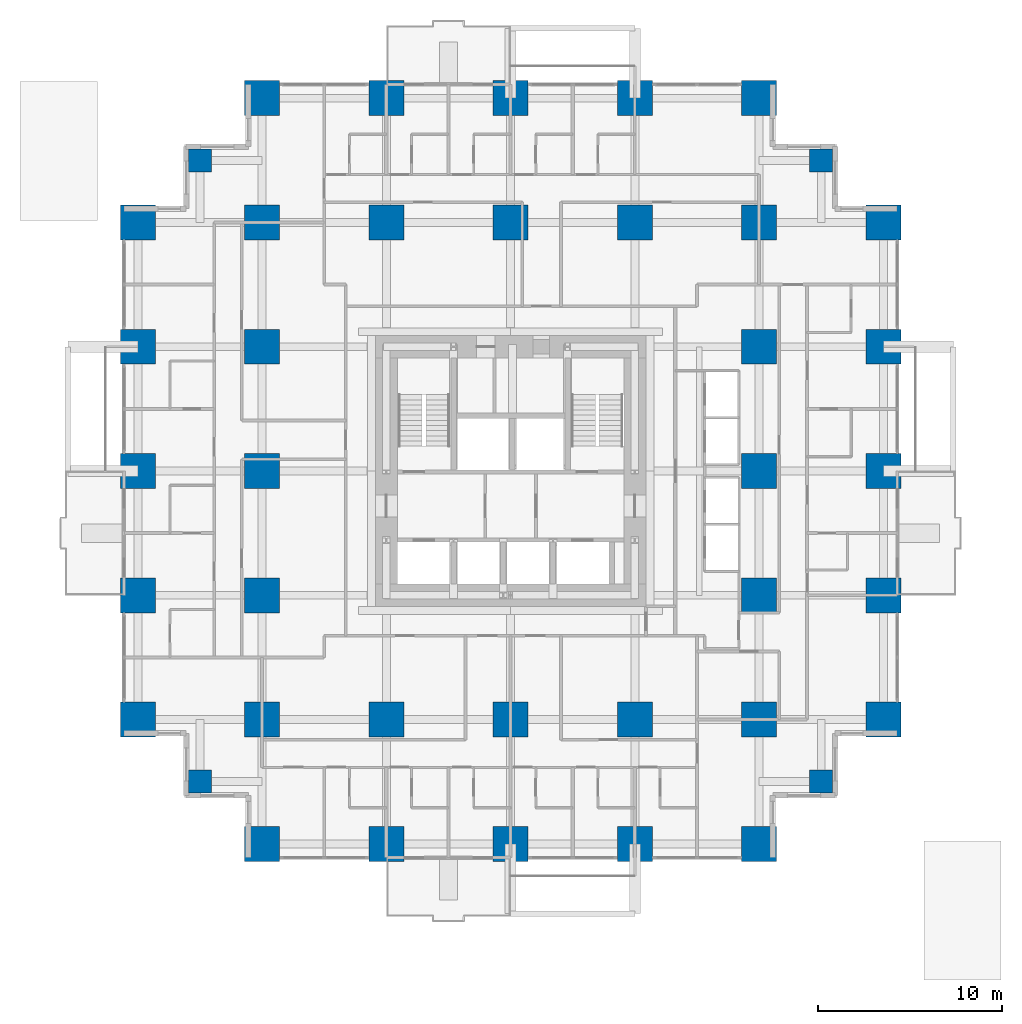
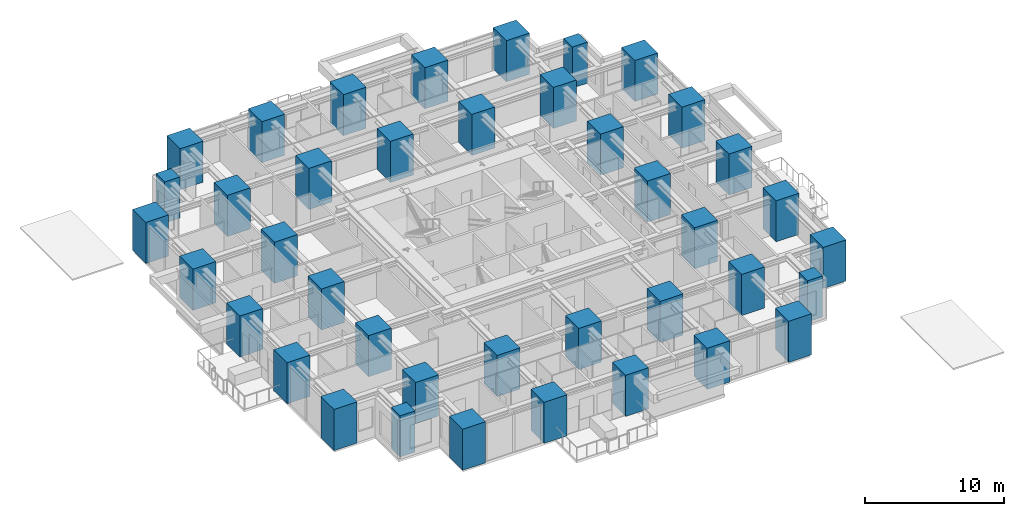
# One storey, part 1 of 14: 40 columns.
"""IFC4 building model written with IfcOpenShell, lengths in metres."""

from ifc_helpers import new_model, si_unit, direction, frame, origin, origin_2d, place, context, subcontext, project, spatial, rectangle, extrude, material, material_profile, profile_set, type_object, element, save


model = new_model("IFC4")

# Units and contexts
model_context = context("Model", 3, precision=1e-05, world=origin(), true_north=direction((0.0, 1.0)))
body_context = subcontext(model_context, "Body", "Model", "MODEL_VIEW")
ifc_project = project(units=[si_unit("LENGTHUNIT", "METRE"), si_unit("AREAUNIT", "SQUARE_METRE"), si_unit("VOLUMEUNIT", "CUBIC_METRE"), si_unit("PLANEANGLEUNIT", "RADIAN"), si_unit("MASSUNIT", "GRAM", prefix="KILO")], contexts=[model_context])

# Site, building, storey
site_placement = place(None, origin())
site = spatial("IfcSite", under=ifc_project, at=site_placement, CompositionType="ELEMENT")
building_placement = place(site_placement, origin())
building = spatial("IfcBuilding", under=site, at=building_placement, Name="Nyansa Garden Tower", CompositionType="ELEMENT")
storey_placement = place(building_placement, frame((0.0, 0.0, 18.0)))
storey = spatial("IfcBuildingStorey", under=building, at=storey_placement, Name="L04", CompositionType="ELEMENT", Elevation=18.0)

# Columns
ifc_material_1 = material(Name="Concrete C70/85", Category="concrete")
ifc_material_profile_1 = material_profile(ifc_material_1, rectangle(XDim=1.25, YDim=1.25, at=origin_2d()), Name="RC 1250x1250")
ifc_profile_set_1 = profile_set([ifc_material_profile_1], Name="Concrete C70/85")
column_type_1 = type_object("IfcColumnType", Name="Column C125 RC 1250x1250", PredefinedType="COLUMN", material=ifc_profile_set_1)
for number, where, z_axis, x_axis, name in (
    (1, (3.375, 3.375, 0.0), (0.0, 0.0, 1.0), (1.0, 0.0, 0.0), "Column x3.375/y3.375 L04"),
    (2, (3.375, 37.125, 0.0), (0.0, 0.0, 1.0), (1.0, 0.0, 0.0), "Column x3.375/y37.125 L04"),
    (3, (37.125, 3.375, 0.0), (0.0, 0.0, 1.0), (1.0, 0.0, 0.0), "Column x37.125/y3.375 L04"),
    (4, (37.125, 37.125, 0.0), (0.0, 0.0, 1.0), (1.0, 0.0, 0.0), "Column x37.125/y37.125 L04"),
):
    element("IfcColumn", number, at=place(storey_placement, frame(where, z_axis=z_axis, x_axis=x_axis)), inside=storey, type_object=column_type_1, Name=name, PredefinedType="COLUMN", context=body_context, shape_type="SweptSolid", body=[
        extrude(rectangle(XDim=1.25, YDim=1.25, at=origin_2d()), origin(), (0.0, 0.0, 1.0), 3.60009765625),
    ])
ifc_material_2 = material(Name="Concrete C80/95", Category="concrete")
ifc_material_profile_2 = material_profile(ifc_material_2, rectangle(XDim=1.89990234375, YDim=1.89990234375, at=origin_2d()), Name="RC 1900x1900")
ifc_profile_set_2 = profile_set([ifc_material_profile_2], Name="Concrete C80/95")
column_type_2 = type_object("IfcColumnType", Name="Column C190 RC 1900x1900", PredefinedType="COLUMN", material=ifc_profile_set_2)
for number, where, z_axis, x_axis, name in (
    (5, (0.0, 6.75, 0.0), (0.0, 0.0, 1.0), (1.0, 0.0, 0.0), "Column 2/E L04"),
    (6, (0.0, 13.5, 0.0), (0.0, 0.0, 1.0), (1.0, 0.0, 0.0), "Column 2/F L04"),
    (7, (0.0, 20.25, 0.0), (0.0, 0.0, 1.0), (1.0, 0.0, 0.0), "Column 2/G L04"),
    (8, (0.0, 27.0, 0.0), (0.0, 0.0, 1.0), (1.0, 0.0, 0.0), "Column 2/H L04"),
    (9, (0.0, 33.75, 0.0), (0.0, 0.0, 1.0), (1.0, 0.0, 0.0), "Column 2/J L04"),
    (10, (6.75, 0.0, 0.0), (0.0, 0.0, 1.0), (1.0, 0.0, 0.0), "Column 3/D L04"),
    (11, (6.75, 6.75, 0.0), (0.0, 0.0, 1.0), (1.0, 0.0, 0.0), "Column 3/E L04"),
    (12, (6.75, 13.5, 0.0), (0.0, 0.0, 1.0), (1.0, 0.0, 0.0), "Column 3/F L04"),
    (13, (6.75, 20.25, 0.0), (0.0, 0.0, 1.0), (1.0, 0.0, 0.0), "Column 3/G L04"),
    (14, (6.75, 27.0, 0.0), (0.0, 0.0, 1.0), (1.0, 0.0, 0.0), "Column 3/H L04"),
    (15, (6.75, 33.75, 0.0), (0.0, 0.0, 1.0), (1.0, 0.0, 0.0), "Column 3/J L04"),
    (16, (6.75, 40.5, 0.0), (0.0, 0.0, 1.0), (1.0, 0.0, 0.0), "Column 3/K L04"),
    (17, (13.5, 0.0, 0.0), (0.0, 0.0, 1.0), (1.0, 0.0, 0.0), "Column 4/D L04"),
    (18, (13.5, 6.75, 0.0), (0.0, 0.0, 1.0), (1.0, 0.0, 0.0), "Column 4/E L04"),
    (19, (13.5, 33.75, 0.0), (0.0, 0.0, 1.0), (1.0, 0.0, 0.0), "Column 4/J L04"),
    (20, (13.5, 40.5, 0.0), (0.0, 0.0, 1.0), (1.0, 0.0, 0.0), "Column 4/K L04"),
    (21, (20.25, 0.0, 0.0), (0.0, 0.0, 1.0), (1.0, 0.0, 0.0), "Column 5/D L04"),
    (22, (20.25, 6.75, 0.0), (0.0, 0.0, 1.0), (1.0, 0.0, 0.0), "Column 5/E L04"),
    (23, (20.25, 33.75, 0.0), (0.0, 0.0, 1.0), (1.0, 0.0, 0.0), "Column 5/J L04"),
    (24, (20.25, 40.5, 0.0), (0.0, 0.0, 1.0), (1.0, 0.0, 0.0), "Column 5/K L04"),
    (25, (27.0, 0.0, 0.0), (0.0, 0.0, 1.0), (1.0, 0.0, 0.0), "Column 6/D L04"),
    (26, (27.0, 6.75, 0.0), (0.0, 0.0, 1.0), (1.0, 0.0, 0.0), "Column 6/E L04"),
    (27, (27.0, 33.75, 0.0), (0.0, 0.0, 1.0), (1.0, 0.0, 0.0), "Column 6/J L04"),
    (28, (27.0, 40.5, 0.0), (0.0, 0.0, 1.0), (1.0, 0.0, 0.0), "Column 6/K L04"),
    (29, (33.75, 0.0, 0.0), (0.0, 0.0, 1.0), (1.0, 0.0, 0.0), "Column 7/D L04"),
    (30, (33.75, 6.75, 0.0), (0.0, 0.0, 1.0), (1.0, 0.0, 0.0), "Column 7/E L04"),
    (31, (33.75, 13.5, 0.0), (0.0, 0.0, 1.0), (1.0, 0.0, 0.0), "Column 7/F L04"),
    (32, (33.75, 20.25, 0.0), (0.0, 0.0, 1.0), (1.0, 0.0, 0.0), "Column 7/G L04"),
    (33, (33.75, 27.0, 0.0), (0.0, 0.0, 1.0), (1.0, 0.0, 0.0), "Column 7/H L04"),
    (34, (33.75, 33.75, 0.0), (0.0, 0.0, 1.0), (1.0, 0.0, 0.0), "Column 7/J L04"),
    (35, (33.75, 40.5, 0.0), (0.0, 0.0, 1.0), (1.0, 0.0, 0.0), "Column 7/K L04"),
    (36, (40.5, 6.75, 0.0), (0.0, 0.0, 1.0), (1.0, 0.0, 0.0), "Column 8/E L04"),
    (37, (40.5, 13.5, 0.0), (0.0, 0.0, 1.0), (1.0, 0.0, 0.0), "Column 8/F L04"),
    (38, (40.5, 20.25, 0.0), (0.0, 0.0, 1.0), (1.0, 0.0, 0.0), "Column 8/G L04"),
    (39, (40.5, 27.0, 0.0), (0.0, 0.0, 1.0), (1.0, 0.0, 0.0), "Column 8/H L04"),
    (40, (40.5, 33.75, 0.0), (0.0, 0.0, 1.0), (1.0, 0.0, 0.0), "Column 8/J L04"),
):
    element("IfcColumn", number, at=place(storey_placement, frame(where, z_axis=z_axis, x_axis=x_axis)), inside=storey, type_object=column_type_2, Name=name, PredefinedType="COLUMN", context=body_context, shape_type="SweptSolid", body=[
        extrude(rectangle(XDim=1.89990234375, YDim=1.89990234375, at=origin_2d()), origin(), (0.0, 0.0, 1.0), 3.60009765625),
    ])

save(model, "model.ifc")
